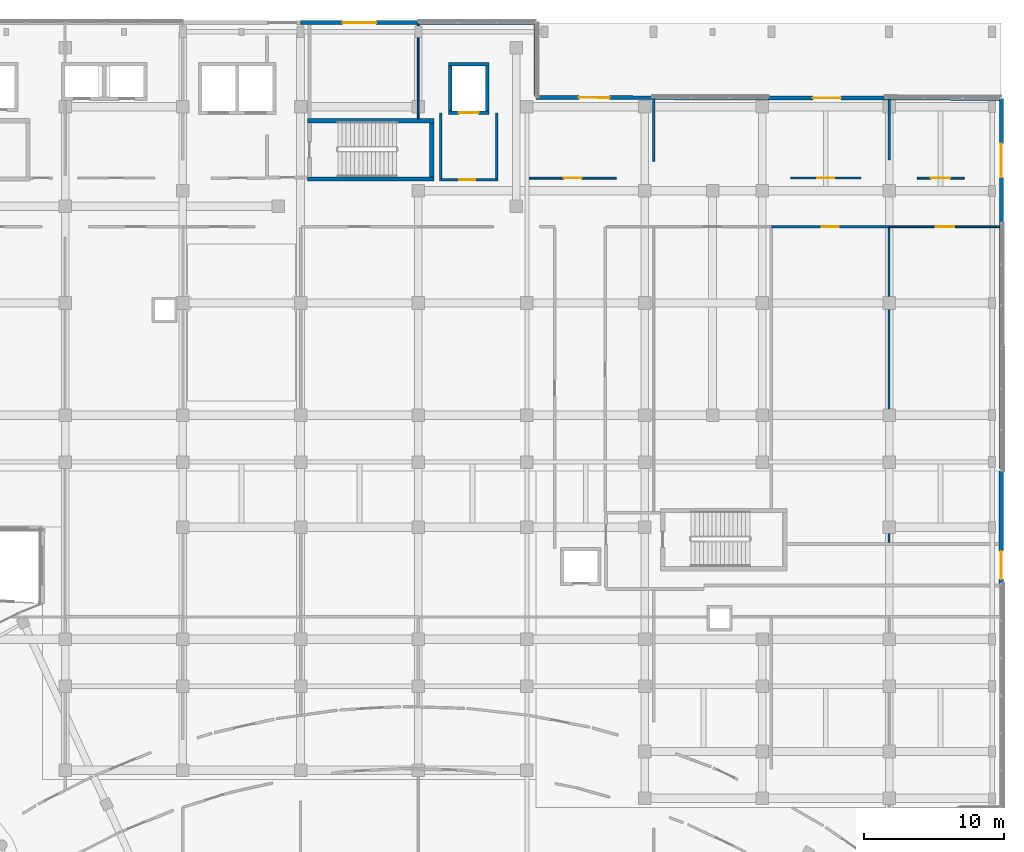
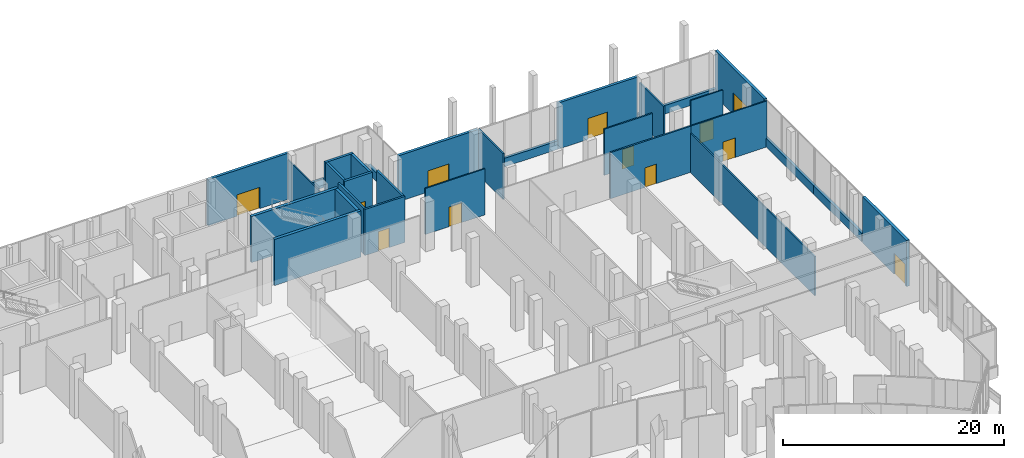
# One storey, part 145 of 158: 30 walls, 12 doors, 12 openings.
"""IFC4 building model written with IfcOpenShell, lengths in metres."""

from ifc_helpers import new_model, si_unit, direction, frame, frame_2d, origin, place, context, subcontext, project, spatial, rectangle, extrude, material, layer, layer_set, type_object, element, fill, save


model = new_model("IFC4")

# Units and contexts
model_context = context("Model", 3, precision=1e-05, world=origin(), true_north=direction((0.0, 1.0)))
body_context = subcontext(model_context, "Body", "Model", "MODEL_VIEW")
ifc_project = project(units=[si_unit("LENGTHUNIT", "METRE"), si_unit("AREAUNIT", "SQUARE_METRE"), si_unit("VOLUMEUNIT", "CUBIC_METRE"), si_unit("PLANEANGLEUNIT", "RADIAN"), si_unit("MASSUNIT", "GRAM", prefix="KILO")], contexts=[model_context])

# Site, building, storey
site_placement = place(None, origin())
site = spatial("IfcSite", under=ifc_project, at=site_placement, CompositionType="ELEMENT")
building_placement = place(site_placement, origin())
building = spatial("IfcBuilding", under=site, at=building_placement, Name="Selatvlak General Hospital", CompositionType="ELEMENT")
storey_placement = place(building_placement, origin())
storey = spatial("IfcBuildingStorey", under=building, at=storey_placement, Name="L00", CompositionType="ELEMENT", Elevation=0.0)

# Wall, opening, door
ifc_material_1 = material(Name="Precast concrete C40/50 - white fair-faced", Category="concrete")
ifc_layer_1 = layer(ifc_material_1, 0.300048828125, Name="Precast concrete C40/50 - white fair-faced", Category="concrete")
ifc_layer_set_1 = layer_set([ifc_layer_1], Name="Precast concrete C40/50 - white fair-faced")
wall_type_1 = type_object("IfcWallType", Name="WALL-EW-01", PredefinedType="SOLIDWALL", material=ifc_layer_set_1)
wall_1_placement = place(storey_placement, frame((182.0, 88.0009765625, 0.0), z_axis=(0.0, 0.0, 1.0), x_axis=(0.0, -1.0, 0.0)))
wall_1 = element("IfcWall", 1, at=wall_1_placement, inside=storey, type_object=wall_type_1, Name="L00 exterior wall 0173", PredefinedType="SOLIDWALL", context=body_context, shape_type="SweptSolid", body=[
    extrude(rectangle(XDim=8.0, YDim=0.300048828125, at=frame_2d((4.0, 0.0))), origin(), (0.0, 0.0, 1.0), 5.080078125),
])
opening_1_placement = place(wall_1_placement, frame((5.699951171875, 0.0, 0.0)))
opening_1 = element("IfcOpeningElement", 2, at=opening_1_placement, cuts=wall_1, Name="Opening DE-03", PredefinedType="OPENING", context=body_context, shape_type="SweptSolid", body=[
    extrude(rectangle(XDim=2.0, YDim=2.300048828125, at=frame_2d((1.0, 1.14990234375))), frame((0.0, 0.159912109375, 0.0), z_axis=(0.0, -1.0, 0.0), x_axis=(1.0, 0.0, 0.0)), (0.0, 0.0, 1.0), 0.320068359375),
])
ifc_material_2 = material(Name="Steel acoustic fire exit double door", Category="steel")
door_type_1 = type_object("IfcDoorType", Name="DOOR-DE-03", OperationType="DOUBLE_DOOR_SINGLE_SWING", PredefinedType="DOOR", material=ifc_material_2)
door_1_placement = place(opening_1_placement, origin())
door_1 = element("IfcDoor", 3, at=door_1_placement, inside=storey, type_object=door_type_1, Name="Stair ST-06 ground final exit double door", OperationType="DOUBLE_DOOR_SINGLE_SWING", OverallHeight=2.300048828125, OverallWidth=2.0, PredefinedType="DOOR", context=body_context, shape_type="SweptSolid", body=[
    extrude(rectangle(XDim=2.0, YDim=2.300048828125, at=frame_2d((1.0, 1.14990234375))), frame((0.0, 0.02490234375, 0.0), z_axis=(0.0, -1.0, 0.0), x_axis=(1.0, 0.0, 0.0)), (0.0, 0.0, 1.0), 0.050048828125),
])
fill(opening_1, door_1)

ifc_material_3 = material(Name="Precast concrete C40/50 - white Bauhaus spandrel", Category="concrete")
ifc_layer_2 = layer(ifc_material_3, 0.280029296875, Name="Precast concrete C40/50 - white Bauhaus spandrel", Category="concrete")
ifc_layer_set_2 = layer_set([ifc_layer_2], Name="Precast concrete C40/50 - white Bauhaus spandrel")
wall_type_2 = type_object("IfcWallType", Name="WALL-EW-02", PredefinedType="SOLIDWALL", material=ifc_layer_set_2)
wall_2_placement = place(storey_placement, frame((131.9990234375, 120.0, 0.0), z_axis=(0.0, 0.0, 1.0), x_axis=(1.0, 0.0, 0.0)))
wall_2 = element("IfcWall", 4, at=wall_2_placement, inside=storey, type_object=wall_type_2, Name="L00 exterior wall 0163", PredefinedType="SOLIDWALL", context=body_context, shape_type="SweptSolid", body=[
    extrude(rectangle(XDim=8.39990234375, YDim=0.280029296875, at=frame_2d((4.199951171875, 0.0))), origin(), (0.0, 0.0, 1.0), 5.080078125),
])
opening_2_placement = place(wall_2_placement, frame((3.0, 0.0, 0.0)))
opening_2 = element("IfcOpeningElement", 5, at=opening_2_placement, cuts=wall_2, Name="Opening DE-01", PredefinedType="OPENING", context=body_context, shape_type="SweptSolid", body=[
    extrude(rectangle(XDim=2.39990234375, YDim=2.35009765625, at=frame_2d((1.199951171875, 1.175048828125))), frame((0.0, 0.14990234375, 0.0), z_axis=(0.0, -1.0, 0.0), x_axis=(1.0, 0.0, 0.0)), (0.0, 0.0, 1.0), 0.300048828125),
])
ifc_material_4 = material(Name="Anodised aluminium glazed entrance door", Category="aluminium")
door_type_2 = type_object("IfcDoorType", Name="DOOR-DE-01", OperationType="DOUBLE_DOOR_SINGLE_SWING", PredefinedType="DOOR", material=ifc_material_4)
door_2_placement = place(opening_2_placement, origin())
door_2 = element("IfcDoor", 6, at=door_2_placement, inside=storey, type_object=door_type_2, Name="Ground pedestrian final exit double door 12", OperationType="DOUBLE_DOOR_SINGLE_SWING", OverallHeight=2.35009765625, OverallWidth=2.39990234375, PredefinedType="DOOR", context=body_context, shape_type="SweptSolid", body=[
    extrude(rectangle(XDim=2.39990234375, YDim=2.35009765625, at=frame_2d((1.199951171875, 1.175048828125))), frame((0.0, 0.02490234375, 0.0), z_axis=(0.0, -1.0, 0.0), x_axis=(1.0, 0.0, 0.0)), (0.0, 0.0, 1.0), 0.050048828125),
])
fill(opening_2, door_2)

# Walls
wall_3_placement = place(storey_placement, frame((140.40087890625, 120.0, 0.0), z_axis=(0.0, 0.0, 1.0), x_axis=(1.0, 0.0, 0.0)))
element("IfcWall", 7, at=wall_3_placement, inside=storey, type_object=wall_type_2, Name="L00 Bauhaus spandrel sill wall 0164", PredefinedType="SOLIDWALL", context=body_context, shape_type="SweptSolid", body=[
    extrude(rectangle(XDim=8.258056640625, YDim=0.280029296875, at=frame_2d((4.12890625, 0.0))), origin(), (0.0, 0.0, 1.0), 0.93994140625),
])
wall_4_placement = place(storey_placement, frame((148.799072265625, 119.860107421875, 0.0), z_axis=(0.0, 0.0, 1.0), x_axis=(0.000192994303, -0.999999981377, 0.0)))
element("IfcWall", 8, at=wall_4_placement, inside=storey, type_object=wall_type_2, Name="L00 Bauhaus spandrel sill wall 0165", PredefinedType="SOLIDWALL", context=body_context, shape_type="SweptSolid", body=[
    extrude(rectangle(XDim=5.06005859375, YDim=0.280029296875, at=frame_2d((2.530029296875, 0.0))), origin(), (0.0, 0.0, 1.0), 0.93994140625),
])

# Wall, opening, door
wall_5_placement = place(storey_placement, frame((148.800048828125, 114.659912109375, 0.0), z_axis=(0.0, 0.0, 1.0), x_axis=(0.999998390291, -0.001794273077, 0.0)))
wall_5 = element("IfcWall", 9, at=wall_5_placement, inside=storey, type_object=wall_type_2, Name="L00 exterior wall 0166", PredefinedType="SOLIDWALL", context=body_context, shape_type="SweptSolid", body=[
    extrude(rectangle(XDim=8.300048828125, YDim=0.280029296875, at=frame_2d((4.14990234375, 0.0))), origin(), (0.0, 0.0, 1.0), 5.080078125),
])
opening_3_placement = place(wall_5_placement, frame((3.050048828125, 0.0, 0.0)))
opening_3 = element("IfcOpeningElement", 10, at=opening_3_placement, cuts=wall_5, Name="Opening DE-02", PredefinedType="OPENING", context=body_context, shape_type="SweptSolid", body=[
    extrude(rectangle(XDim=2.199951171875, YDim=2.35009765625, at=frame_2d((1.10009765625, 1.175048828125))), frame((0.0, 0.14990234375, 0.0), z_axis=(0.0, -1.0, 0.0), x_axis=(1.0, 0.0, 0.0)), (0.0, 0.0, 1.0), 0.300048828125),
])
door_type_3 = type_object("IfcDoorType", Name="DOOR-DE-02", OperationType="DOUBLE_DOOR_SINGLE_SWING", PredefinedType="DOOR", material=ifc_material_4)
door_3_placement = place(opening_3_placement, origin())
door_3 = element("IfcDoor", 11, at=door_3_placement, inside=storey, type_object=door_type_3, Name="Ground pedestrian final exit double door 13", OperationType="DOUBLE_DOOR_SINGLE_SWING", OverallHeight=2.35009765625, OverallWidth=2.199951171875, PredefinedType="DOOR", context=body_context, shape_type="SweptSolid", body=[
    extrude(rectangle(XDim=2.199951171875, YDim=2.35009765625, at=frame_2d((1.10009765625, 1.175048828125))), frame((0.0, 0.02490234375, 0.0), z_axis=(0.0, -1.0, 0.0), x_axis=(1.0, 0.0, 0.0)), (0.0, 0.0, 1.0), 0.050048828125),
])
fill(opening_3, door_3)

# Wall
wall_6_placement = place(storey_placement, frame((157.10205078125, 114.64501953125, 0.0), z_axis=(0.0, 0.0, 1.0), x_axis=(0.999998335025, -0.00182481448, 0.0)))
element("IfcWall", 12, at=wall_6_placement, inside=storey, type_object=wall_type_2, Name="L00 Bauhaus spandrel sill wall 0167", PredefinedType="SOLIDWALL", context=body_context, shape_type="SweptSolid", body=[
    extrude(rectangle(XDim=8.294921875, YDim=0.280029296875, at=frame_2d((4.1474609375, 0.0))), origin(), (0.0, 0.0, 1.0), 0.93994140625),
])

# Wall, opening, door
wall_7_placement = place(storey_placement, frame((165.39892578125, 114.6298828125, 0.0), z_axis=(0.0, 0.0, 1.0), x_axis=(0.999998390291, -0.001794273077, 0.0)))
wall_7 = element("IfcWall", 13, at=wall_7_placement, inside=storey, type_object=wall_type_2, Name="L00 exterior wall 0168", PredefinedType="SOLIDWALL", context=body_context, shape_type="SweptSolid", body=[
    extrude(rectangle(XDim=8.300048828125, YDim=0.280029296875, at=frame_2d((4.14990234375, 0.0))), origin(), (0.0, 0.0, 1.0), 5.080078125),
])
opening_4_placement = place(wall_7_placement, frame((3.14990234375, 0.0, 0.0)))
opening_4 = element("IfcOpeningElement", 14, at=opening_4_placement, cuts=wall_7, Name="Opening DE-03", PredefinedType="OPENING", context=body_context, shape_type="SweptSolid", body=[
    extrude(rectangle(XDim=2.0, YDim=2.300048828125, at=frame_2d((1.0, 1.14990234375))), frame((0.0, 0.14990234375, 0.0), z_axis=(0.0, -1.0, 0.0), x_axis=(1.0, 0.0, 0.0)), (0.0, 0.0, 1.0), 0.300048828125),
])
door_4_placement = place(opening_4_placement, origin())
door_4 = element("IfcDoor", 15, at=door_4_placement, inside=storey, type_object=door_type_1, Name="Ground pedestrian final exit double door 14", OperationType="DOUBLE_DOOR_SINGLE_SWING", OverallHeight=2.300048828125, OverallWidth=2.0, PredefinedType="DOOR", context=body_context, shape_type="SweptSolid", body=[
    extrude(rectangle(XDim=2.0, YDim=2.300048828125, at=frame_2d((1.0, 1.14990234375))), frame((0.0, 0.02490234375, 0.0), z_axis=(0.0, -1.0, 0.0), x_axis=(1.0, 0.0, 0.0)), (0.0, 0.0, 1.0), 0.050048828125),
])
fill(opening_4, door_4)

# Wall
wall_8_placement = place(storey_placement, frame((173.700927734375, 114.614990234375, 0.0), z_axis=(0.0, 0.0, 1.0), x_axis=(0.999998333729, -0.001825524416, 0.0)))
element("IfcWall", 16, at=wall_8_placement, inside=storey, type_object=wall_type_2, Name="L00 Bauhaus spandrel sill wall 0169", PredefinedType="SOLIDWALL", context=body_context, shape_type="SweptSolid", body=[
    extrude(rectangle(XDim=8.157958984375, YDim=0.280029296875, at=frame_2d((4.0791015625, 0.0))), origin(), (0.0, 0.0, 1.0), 0.93994140625),
])

# Wall, opening, door
wall_9_placement = place(storey_placement, frame((181.9990234375, 114.60009765625, 0.0), z_axis=(0.0, 0.0, 1.0), x_axis=(0.0, -1.0, 0.0)))
wall_9 = element("IfcWall", 17, at=wall_9_placement, inside=storey, type_object=wall_type_2, Name="L00 exterior wall 0170", PredefinedType="SOLIDWALL", context=body_context, shape_type="SweptSolid", body=[
    extrude(rectangle(XDim=8.8662109375, YDim=0.280029296875, at=frame_2d((4.43310546875, 0.0))), origin(), (0.0, 0.0, 1.0), 5.080078125),
])
opening_5_placement = place(wall_9_placement, frame((3.23291015625, 0.0, 0.0)))
opening_5 = element("IfcOpeningElement", 18, at=opening_5_placement, cuts=wall_9, Name="Opening DE-01", PredefinedType="OPENING", context=body_context, shape_type="SweptSolid", body=[
    extrude(rectangle(XDim=2.39990234375, YDim=2.35009765625, at=frame_2d((1.199951171875, 1.175048828125))), frame((0.0, 0.14990234375, 0.0), z_axis=(0.0, -1.0, 0.0), x_axis=(1.0, 0.0, 0.0)), (0.0, 0.0, 1.0), 0.300048828125),
])
door_5_placement = place(opening_5_placement, origin())
door_5 = element("IfcDoor", 19, at=door_5_placement, inside=storey, type_object=door_type_2, Name="Ground pedestrian final exit double door 15", OperationType="DOUBLE_DOOR_SINGLE_SWING", OverallHeight=2.35009765625, OverallWidth=2.39990234375, PredefinedType="DOOR", context=body_context, shape_type="SweptSolid", body=[
    extrude(rectangle(XDim=2.39990234375, YDim=2.35009765625, at=frame_2d((1.199951171875, 1.175048828125))), frame((0.0, 0.02490234375, 0.0), z_axis=(0.0, -1.0, 0.0), x_axis=(1.0, 0.0, 0.0)), (0.0, 0.0, 1.0), 0.050048828125),
])
fill(opening_5, door_5)

# Walls
wall_10_placement = place(storey_placement, frame((181.9990234375, 105.73193359375, 0.0), z_axis=(0.0, 0.0, 1.0), x_axis=(0.000110183731, -0.99999999393, 0.0)))
element("IfcWall", 20, at=wall_10_placement, inside=storey, type_object=wall_type_2, Name="L00 Bauhaus spandrel sill wall 0171", PredefinedType="SOLIDWALL", context=body_context, shape_type="SweptSolid", body=[
    extrude(rectangle(XDim=8.863037109375, YDim=0.280029296875, at=frame_2d((4.431640625, 0.0))), origin(), (0.0, 0.0, 1.0), 0.93994140625),
])
wall_11_placement = place(storey_placement, frame((182.0, 96.864990234375, 0.0), z_axis=(0.0, 0.0, 1.0), x_axis=(0.0, -1.0, 0.0)))
element("IfcWall", 21, at=wall_11_placement, inside=storey, type_object=wall_type_2, Name="L00 Bauhaus spandrel sill wall 0172", PredefinedType="SOLIDWALL", context=body_context, shape_type="SweptSolid", body=[
    extrude(rectangle(XDim=8.723876953125, YDim=0.280029296875, at=frame_2d((4.36181640625, 0.0))), origin(), (0.0, 0.0, 1.0), 0.93994140625),
])

# Wall, opening, door
ifc_material_5 = material(Name="Concrete C40/50", Category="concrete")
ifc_layer_3 = layer(ifc_material_5, 0.199951171875, Name="Concrete C40/50", Category="concrete")
ifc_layer_set_3 = layer_set([ifc_layer_3], Name="Concrete C40/50")
wall_type_3 = type_object("IfcWallType", Name="WALL-IW-02", PredefinedType="SOLIDWALL", material=ifc_layer_set_3)
wall_12_placement = place(storey_placement, frame((141.89990234375, 108.800048828125, 0.0), z_axis=(0.0, 0.0, 1.0), x_axis=(1.0, 0.0, 0.0)))
wall_12 = element("IfcWall", 22, at=wall_12_placement, inside=storey, type_object=wall_type_3, Name="Firefighting lobby C4 wall L00 S", PredefinedType="SOLIDWALL", context=body_context, shape_type="SweptSolid", body=[
    extrude(rectangle(XDim=4.2001953125, YDim=0.199951171875, at=frame_2d((2.10009765625, 0.0))), origin(), (0.0, 0.0, 1.0), 5.080078125),
])
opening_6_placement = place(wall_12_placement, frame((1.425048828125, 0.0, 0.0)))
opening_6 = element("IfcOpeningElement", 23, at=opening_6_placement, cuts=wall_12, Name="Opening D-06", PredefinedType="OPENING", context=body_context, shape_type="SweptSolid", body=[
    extrude(rectangle(XDim=1.14990234375, YDim=2.14990234375, at=frame_2d((0.574951171875, 1.074951171875))), frame((0.0, 0.10986328125, 0.0), z_axis=(0.0, -1.0, 0.0), x_axis=(1.0, 0.0, 0.0)), (0.0, 0.0, 1.0), 0.219970703125),
])
ifc_material_6 = material(Name="Firefighting lobby fire door")
door_type_4 = type_object("IfcDoorType", Name="DOOR-D-06", OperationType="NOTDEFINED", PredefinedType="DOOR", material=ifc_material_6)
door_6_placement = place(opening_6_placement, origin())
door_6 = element("IfcDoor", 24, at=door_6_placement, inside=storey, type_object=door_type_4, Name="Firefighting lobby C4 door on L00", OperationType="SINGLE_SWING_RIGHT", OverallHeight=2.14990234375, OverallWidth=1.14990234375, PredefinedType="DOOR", context=body_context, shape_type="SweptSolid", body=[
    extrude(rectangle(XDim=1.14990234375, YDim=2.14990234375, at=frame_2d((0.574951171875, 1.074951171875))), frame((0.0, 0.02490234375, 0.0), z_axis=(0.0, -1.0, 0.0), x_axis=(1.0, 0.0, 0.0)), (0.0, 0.0, 1.0), 0.050048828125),
])
fill(opening_6, door_6)

# Walls
for number, where, z_axis, x_axis, name in (
    (25, (146.0, 108.89990234375, 0.0), (0.0, 0.0, 1.0), (0.0, 1.0, 0.0), "Firefighting lobby C4 wall L00 E"),
    (26, (142.0, 113.550048828125, 0.0), (0.0, 0.0, 1.0), (0.0, -1.0, 0.0), "Firefighting lobby C4 wall L00 W"),
):
    element("IfcWall", number, at=place(storey_placement, frame(where, z_axis=z_axis, x_axis=x_axis)), inside=storey, type_object=wall_type_3, Name=name, PredefinedType="SOLIDWALL", context=body_context, shape_type="SweptSolid", body=[
        extrude(rectangle(XDim=4.650146484375, YDim=0.199951171875, at=frame_2d((2.3251953125, 0.0))), origin(), (0.0, 0.0, 1.0), 5.080078125),
    ])

# Wall, opening, door
ifc_material_7 = material(Name="Acoustic gypsum stud partition")
ifc_layer_4 = layer(ifc_material_7, 0.1650390625, Name="Acoustic gypsum stud partition")
ifc_layer_set_4 = layer_set([ifc_layer_4], Name="Acoustic gypsum stud partition")
wall_type_4 = type_object("IfcWallType", Name="WALL-PT-02", PredefinedType="PARTITIONING", material=ifc_layer_set_4)
wall_13_placement = place(storey_placement, frame((165.60009765625, 105.43994140625, 0.0), z_axis=(0.0, 0.0, 1.0), x_axis=(1.0, 0.0, 0.0)))
wall_13 = element("IfcWall", 27, at=wall_13_placement, inside=storey, type_object=wall_type_4, Name="L00 clinical partition PT-L00-0666", PredefinedType="PARTITIONING", context=body_context, shape_type="SweptSolid", body=[
    extrude(rectangle(XDim=8.39990234375, YDim=0.1650390625, at=frame_2d((4.199951171875, 0.0))), origin(), (0.0, 0.0, 1.0), 5.080078125),
])
opening_7_placement = place(wall_13_placement, frame((3.60009765625, 0.0, 0.0)))
opening_7 = element("IfcOpeningElement", 28, at=opening_7_placement, cuts=wall_13, Name="Opening D-07", PredefinedType="OPENING", context=body_context, shape_type="SweptSolid", body=[
    extrude(rectangle(XDim=1.199951171875, YDim=2.14990234375, at=frame_2d((0.60009765625, 1.074951171875))), frame((0.0, 0.092529296875, 0.0), z_axis=(0.0, -1.0, 0.0), x_axis=(1.0, 0.0, 0.0)), (0.0, 0.0, 1.0), 0.18505859375),
])
ifc_material_8 = material(Name="Plant and store fire door")
door_type_5 = type_object("IfcDoorType", Name="DOOR-D-07", OperationType="NOTDEFINED", PredefinedType="DOOR", material=ifc_material_8)
door_7_placement = place(opening_7_placement, origin())
door_7 = element("IfcDoor", 29, at=door_7_placement, inside=storey, type_object=door_type_5, Name="L00 Community Health Education Room 60 door", OperationType="SINGLE_SWING_LEFT", OverallHeight=2.14990234375, OverallWidth=1.199951171875, PredefinedType="DOOR", context=body_context, shape_type="SweptSolid", body=[
    extrude(rectangle(XDim=1.199951171875, YDim=2.14990234375, at=frame_2d((0.60009765625, 1.074951171875))), frame((0.0, 0.02490234375, 0.0), z_axis=(0.0, -1.0, 0.0), x_axis=(1.0, 0.0, 0.0)), (0.0, 0.0, 1.0), 0.050048828125),
])
fill(opening_7, door_7)

# Walls
wall_14_placement = place(storey_placement, frame((174.0, 114.572021484375, 0.0), z_axis=(0.0, 0.0, 1.0), x_axis=(0.0, -1.0, 0.0)))
element("IfcWall", 30, at=wall_14_placement, inside=storey, type_object=wall_type_4, Name="L00 clinical partition PT-L00-0691", PredefinedType="PARTITIONING", context=body_context, shape_type="SweptSolid", body=[
    extrude(rectangle(XDim=4.362060546875, YDim=0.1650390625, at=frame_2d((2.18115234375, 0.0))), origin(), (0.0, 0.0, 1.0), 4.330078125),
])
ifc_layer_5 = layer(ifc_material_7, 0.14990234375, Name="Acoustic gypsum stud partition")
ifc_layer_set_5 = layer_set([ifc_layer_5], Name="Acoustic gypsum stud partition")
wall_type_5 = type_object("IfcWallType", Name="WALL-PT-03", PredefinedType="PARTITIONING", material=ifc_layer_set_5)
wall_15_placement = place(storey_placement, frame((174.0, 105.361083984375, 0.0), z_axis=(0.0, 0.0, 1.0), x_axis=(0.0, -1.0, 0.0)))
element("IfcWall", 31, at=wall_15_placement, inside=storey, type_object=wall_type_5, Name="L00 clinical partition PT-L00-0667", PredefinedType="PARTITIONING", context=body_context, shape_type="SweptSolid", body=[
    extrude(rectangle(XDim=22.465087890625, YDim=0.14990234375, at=frame_2d((11.232421875, 0.0))), origin(), (0.0, 0.0, 1.0), 4.330078125),
])
wall_16_placement = place(storey_placement, frame((157.199951171875, 114.590087890625, 0.0), z_axis=(0.0, 0.0, 1.0), x_axis=(0.0, -1.0, 0.0)))
element("IfcWall", 32, at=wall_16_placement, inside=storey, type_object=wall_type_5, Name="L00 clinical partition PT-L00-0687", PredefinedType="PARTITIONING", context=body_context, shape_type="SweptSolid", body=[
    extrude(rectangle(XDim=4.47802734375, YDim=0.14990234375, at=frame_2d((2.239013671875, 0.0))), origin(), (0.0, 0.0, 1.0), 5.080078125),
])

# Wall, opening, door
wall_17_placement = place(storey_placement, frame((171.989013671875, 108.909912109375, 0.0), z_axis=(0.0, 0.0, 1.0), x_axis=(-1.0, 0.0, 0.0)))
wall_17 = element("IfcWall", 33, at=wall_17_placement, inside=storey, type_object=wall_type_5, Name="L00 clinical partition PT-L00-0692", PredefinedType="PARTITIONING", context=body_context, shape_type="SweptSolid", body=[
    extrude(rectangle(XDim=5.028076171875, YDim=0.14990234375, at=frame_2d((2.51416015625, 0.0))), origin(), (0.0, 0.0, 1.0), 5.080078125),
])
opening_8_placement = place(wall_17_placement, frame((1.9140625, 0.0, 0.0)))
opening_8 = element("IfcOpeningElement", 34, at=opening_8_placement, cuts=wall_17, Name="Opening D-23", PredefinedType="OPENING", context=body_context, shape_type="SweptSolid", body=[
    extrude(rectangle(XDim=1.199951171875, YDim=2.14990234375, at=frame_2d((0.60009765625, 1.074951171875))), frame((0.0, 0.0849609375, 0.0), z_axis=(0.0, -1.0, 0.0), x_axis=(1.0, 0.0, 0.0)), (0.0, 0.0, 1.0), 0.169921875),
])
ifc_material_9 = material(Name="Endoscopy clinical door")
door_type_6 = type_object("IfcDoorType", Name="DOOR-D-23", OperationType="NOTDEFINED", PredefinedType="DOOR", material=ifc_material_9)
door_8_placement = place(opening_8_placement, origin())
door_8 = element("IfcDoor", 35, at=door_8_placement, inside=storey, type_object=door_type_6, Name="L00 Public Dining Cafeteria 74 door", OperationType="SINGLE_SWING_LEFT", OverallHeight=2.14990234375, OverallWidth=1.199951171875, PredefinedType="DOOR", context=body_context, shape_type="SweptSolid", body=[
    extrude(rectangle(XDim=1.199951171875, YDim=2.14990234375, at=frame_2d((0.60009765625, 1.074951171875))), frame((0.0, 0.02490234375, 0.0), z_axis=(0.0, -1.0, 0.0), x_axis=(1.0, 0.0, 0.0)), (0.0, 0.0, 1.0), 0.050048828125),
])
fill(opening_8, door_8)

ifc_material_10 = material(Name="Moisture-resistant clinical partition")
ifc_layer_6 = layer(ifc_material_10, 0.135009765625, Name="Moisture-resistant clinical partition")
ifc_layer_set_6 = layer_set([ifc_layer_6], Name="Moisture-resistant clinical partition")
wall_type_6 = type_object("IfcWallType", Name="WALL-PT-04", PredefinedType="PARTITIONING", material=ifc_layer_set_6)
wall_18_placement = place(storey_placement, frame((174.0, 105.43994140625, 0.0), z_axis=(0.0, 0.0, 1.0), x_axis=(1.0, 0.0, 0.0)))
wall_18 = element("IfcWall", 36, at=wall_18_placement, inside=storey, type_object=wall_type_6, Name="L00 clinical partition PT-L00-0668", PredefinedType="PARTITIONING", context=body_context, shape_type="SweptSolid", body=[
    extrude(rectangle(XDim=7.95703125, YDim=0.135009765625, at=frame_2d((3.978515625, 0.0))), origin(), (0.0, 0.0, 1.0), 5.080078125),
])
opening_9_placement = place(wall_18_placement, frame((3.327880859375, 0.0, 0.0)))
opening_9 = element("IfcOpeningElement", 37, at=opening_9_placement, cuts=wall_18, Name="Opening D-09", PredefinedType="OPENING", context=body_context, shape_type="SweptSolid", body=[
    extrude(rectangle(XDim=1.300048828125, YDim=2.14990234375, at=frame_2d((0.64990234375, 1.074951171875))), frame((0.0, 0.077392578125, 0.0), z_axis=(0.0, -1.0, 0.0), x_axis=(1.0, 0.0, 0.0)), (0.0, 0.0, 1.0), 0.155029296875),
])
ifc_material_11 = material(Name="Outpatient procedure door")
door_type_7 = type_object("IfcDoorType", Name="DOOR-D-09", OperationType="NOTDEFINED", PredefinedType="DOOR", material=ifc_material_11)
door_9_placement = place(opening_9_placement, origin())
door_9 = element("IfcDoor", 38, at=door_9_placement, inside=storey, type_object=door_type_7, Name="L00 Diagnostic Ultrasound Room 61 door", OperationType="SINGLE_SWING_RIGHT", OverallHeight=2.14990234375, OverallWidth=1.300048828125, PredefinedType="DOOR", context=body_context, shape_type="SweptSolid", body=[
    extrude(rectangle(XDim=1.300048828125, YDim=2.14990234375, at=frame_2d((0.64990234375, 1.074951171875))), frame((0.0, 0.02490234375, 0.0), z_axis=(0.0, -1.0, 0.0), x_axis=(1.0, 0.0, 0.0)), (0.0, 0.0, 1.0), 0.050048828125),
])
fill(opening_9, door_9)

wall_19_placement = place(storey_placement, frame((154.5390625, 108.909912109375, 0.0), z_axis=(0.0, 0.0, 1.0), x_axis=(-1.0, 0.0, 0.0)))
wall_19 = element("IfcWall", 39, at=wall_19_placement, inside=storey, type_object=wall_type_6, Name="L00 clinical partition PT-L00-0688", PredefinedType="PARTITIONING", context=body_context, shape_type="SweptSolid", body=[
    extrude(rectangle(XDim=6.22607421875, YDim=0.135009765625, at=frame_2d((3.113037109375, 0.0))), origin(), (0.0, 0.0, 1.0), 5.080078125),
])
opening_10_placement = place(wall_19_placement, frame((2.462890625, 0.0, 0.0)))
opening_10 = element("IfcOpeningElement", 40, at=opening_10_placement, cuts=wall_19, Name="Opening D-09", PredefinedType="OPENING", context=body_context, shape_type="SweptSolid", body=[
    extrude(rectangle(XDim=1.300048828125, YDim=2.14990234375, at=frame_2d((0.64990234375, 1.074951171875))), frame((0.0, 0.077392578125, 0.0), z_axis=(0.0, -1.0, 0.0), x_axis=(1.0, 0.0, 0.0)), (0.0, 0.0, 1.0), 0.155029296875),
])
door_10_placement = place(opening_10_placement, origin())
door_10 = element("IfcDoor", 41, at=door_10_placement, inside=storey, type_object=door_type_7, Name="L00 Patient Welfare Office 72 door", OperationType="SINGLE_SWING_RIGHT", OverallHeight=2.14990234375, OverallWidth=1.300048828125, PredefinedType="DOOR", context=body_context, shape_type="SweptSolid", body=[
    extrude(rectangle(XDim=1.300048828125, YDim=2.14990234375, at=frame_2d((0.64990234375, 1.074951171875))), frame((0.0, 0.02490234375, 0.0), z_axis=(0.0, -1.0, 0.0), x_axis=(1.0, 0.0, 0.0)), (0.0, 0.0, 1.0), 0.050048828125),
])
fill(opening_10, door_10)

wall_20_placement = place(storey_placement, frame((179.339111328125, 108.909912109375, 0.0), z_axis=(0.0, 0.0, 1.0), x_axis=(-1.0, 0.0, 0.0)))
wall_20 = element("IfcWall", 42, at=wall_20_placement, inside=storey, type_object=wall_type_6, Name="L00 clinical partition PT-L00-0693", PredefinedType="PARTITIONING", context=body_context, shape_type="SweptSolid", body=[
    extrude(rectangle(XDim=3.328125, YDim=0.135009765625, at=frame_2d((1.6640625, 0.0))), origin(), (0.0, 0.0, 1.0), 5.080078125),
])
opening_11_placement = place(wall_20_placement, frame((0.964111328125, 0.0, 0.0)))
opening_11 = element("IfcOpeningElement", 43, at=opening_11_placement, cuts=wall_20, Name="Opening D-11", PredefinedType="OPENING", context=body_context, shape_type="SweptSolid", body=[
    extrude(rectangle(XDim=1.39990234375, YDim=2.14990234375, at=frame_2d((0.699951171875, 1.074951171875))), frame((0.0, 0.077392578125, 0.0), z_axis=(0.0, -1.0, 0.0), x_axis=(1.0, 0.0, 0.0)), (0.0, 0.0, 1.0), 0.155029296875),
])
ifc_material_12 = material(Name="Inpatient suite bed door")
door_type_8 = type_object("IfcDoorType", Name="DOOR-D-11", OperationType="NOTDEFINED", PredefinedType="DOOR", material=ifc_material_12)
door_11_placement = place(opening_11_placement, origin())
door_11 = element("IfcDoor", 44, at=door_11_placement, inside=storey, type_object=door_type_8, Name="L00 Admissions Registration Suite 75 door", OperationType="SINGLE_SWING_RIGHT", OverallHeight=2.14990234375, OverallWidth=1.39990234375, PredefinedType="DOOR", context=body_context, shape_type="SweptSolid", body=[
    extrude(rectangle(XDim=1.39990234375, YDim=2.14990234375, at=frame_2d((0.699951171875, 1.074951171875))), frame((0.0, 0.02490234375, 0.0), z_axis=(0.0, -1.0, 0.0), x_axis=(1.0, 0.0, 0.0)), (0.0, 0.0, 1.0), 0.050048828125),
])
fill(opening_11, door_11)

# Walls
ifc_layer_7 = layer(ifc_material_10, 0.1201171875, Name="Moisture-resistant clinical partition")
ifc_layer_set_7 = layer_set([ifc_layer_7], Name="Moisture-resistant clinical partition")
wall_type_7 = type_object("IfcWallType", Name="WALL-PT-05", PredefinedType="PARTITIONING", material=ifc_layer_set_7)
wall_21_placement = place(storey_placement, frame((140.39990234375, 113.14697265625, 0.0), z_axis=(0.0, 0.0, 1.0), x_axis=(0.0, 1.0, 0.0)))
element("IfcWall", 45, at=wall_21_placement, inside=storey, type_object=wall_type_7, Name="L00 clinical partition PT-L00-0689", PredefinedType="PARTITIONING", context=body_context, shape_type="SweptSolid", body=[
    extrude(rectangle(XDim=6.843017578125, YDim=0.1201171875, at=frame_2d((3.42138671875, 0.0))), origin(), (0.0, 0.0, 1.0), 4.330078125),
])
ifc_material_13 = material(Name="Concrete C45/55", Category="concrete")
ifc_layer_8 = layer(ifc_material_13, 0.300048828125, Name="Concrete C45/55", Category="concrete")
ifc_layer_set_8 = layer_set([ifc_layer_8], Name="Concrete C45/55")
wall_type_8 = type_object("IfcWallType", Name="WALL-SW-02", PredefinedType="SHEAR", material=ifc_layer_set_8)
wall_22_placement = place(storey_placement, frame((132.489990234375, 108.840087890625, 0.0), z_axis=(0.0, 0.0, 1.0), x_axis=(1.0, 0.0, 0.0)))
element("IfcWall", 46, at=wall_22_placement, inside=storey, type_object=wall_type_8, Name="ST-04 core shear wall L00 S", PredefinedType="SHEAR", context=body_context, shape_type="SweptSolid", body=[
    extrude(rectangle(XDim=9.02001953125, YDim=0.300048828125, at=frame_2d((4.510009765625, 0.0))), origin(), (0.0, 0.0, 1.0), 5.080078125),
])
wall_23_placement = place(storey_placement, frame((141.360107421875, 108.989990234375, 0.0), z_axis=(0.0, 0.0, 1.0), x_axis=(0.0, 1.0, 0.0)))
element("IfcWall", 47, at=wall_23_placement, inside=storey, type_object=wall_type_8, Name="ST-04 core shear wall L00 E", PredefinedType="SHEAR", context=body_context, shape_type="SweptSolid", body=[
    extrude(rectangle(XDim=3.860107421875, YDim=0.300048828125, at=frame_2d((1.93017578125, 0.0))), origin(), (0.0, 0.0, 1.0), 5.080078125),
])
wall_24_placement = place(storey_placement, frame((141.510009765625, 113.0, 0.0), z_axis=(0.0, 0.0, 1.0), x_axis=(-1.0, 0.0, 0.0)))
element("IfcWall", 48, at=wall_24_placement, inside=storey, type_object=wall_type_8, Name="ST-04 core shear wall L00 N", PredefinedType="SHEAR", context=body_context, shape_type="SweptSolid", body=[
    extrude(rectangle(XDim=9.02001953125, YDim=0.300048828125, at=frame_2d((4.510009765625, 0.0))), origin(), (0.0, 0.0, 1.0), 5.080078125),
])

# Wall, opening, door
ifc_layer_9 = layer(ifc_material_5, 0.25, Name="Concrete C40/50", Category="concrete")
ifc_layer_set_9 = layer_set([ifc_layer_9], Name="Concrete C40/50")
wall_type_9 = type_object("IfcWallType", Name="WALL-SW-03", PredefinedType="SHEAR", material=ifc_layer_set_9)
wall_25_placement = place(storey_placement, frame((142.550048828125, 113.574951171875, 0.0), z_axis=(0.0, 0.0, 1.0), x_axis=(1.0, 0.0, 0.0)))
wall_25 = element("IfcWall", 49, at=wall_25_placement, inside=storey, type_object=wall_type_9, Name="Lift LF-03 shaft wall L00 S", PredefinedType="SHEAR", context=body_context, shape_type="SweptSolid", body=[
    extrude(rectangle(XDim=2.89990234375, YDim=0.25, at=frame_2d((1.449951171875, 0.0))), origin(), (0.0, 0.0, 1.0), 5.080078125),
])
opening_12_placement = place(wall_25_placement, frame((0.75, 0.0, 0.0)))
opening_12 = element("IfcOpeningElement", 50, at=opening_12_placement, cuts=wall_25, Name="Opening LD-F1", PredefinedType="OPENING", context=body_context, shape_type="SweptSolid", body=[
    extrude(rectangle(XDim=1.39990234375, YDim=2.14990234375, at=frame_2d((0.699951171875, 1.074951171875))), frame((0.0, 0.135009765625, 0.0), z_axis=(0.0, -1.0, 0.0), x_axis=(1.0, 0.0, 0.0)), (0.0, 0.0, 1.0), 0.27001953125),
])
ifc_material_14 = material(Name="Stainless steel fire lift landing door", Category="steel")
door_type_9 = type_object("IfcDoorType", Name="DOOR-LD-F1", OperationType="DOUBLE_DOOR_SLIDING", PredefinedType="DOOR", material=ifc_material_14)
door_12_placement = place(opening_12_placement, origin())
door_12 = element("IfcDoor", 51, at=door_12_placement, inside=storey, type_object=door_type_9, Name="Lift LF-03 sliding landing door on L00", OperationType="DOUBLE_DOOR_SLIDING", OverallHeight=2.14990234375, OverallWidth=1.39990234375, PredefinedType="DOOR", context=body_context, shape_type="SweptSolid", body=[
    extrude(rectangle(XDim=1.39990234375, YDim=2.14990234375, at=frame_2d((0.699951171875, 1.074951171875))), frame((0.0, 0.02490234375, 0.0), z_axis=(0.0, -1.0, 0.0), x_axis=(1.0, 0.0, 0.0)), (0.0, 0.0, 1.0), 0.050048828125),
])
fill(opening_12, door_12)

# Walls
wall_26_placement = place(storey_placement, frame((145.324951171875, 113.699951171875, 0.0), z_axis=(0.0, 0.0, 1.0), x_axis=(0.0, 1.0, 0.0)))
element("IfcWall", 52, at=wall_26_placement, inside=storey, type_object=wall_type_9, Name="Lift LF-03 shaft wall L00 E", PredefinedType="SHEAR", context=body_context, shape_type="SweptSolid", body=[
    extrude(rectangle(XDim=3.199951171875, YDim=0.25, at=frame_2d((1.60009765625, 0.0))), origin(), (0.0, 0.0, 1.0), 5.080078125),
])
wall_27_placement = place(storey_placement, frame((145.449951171875, 117.02490234375, 0.0), z_axis=(0.0, 0.0, 1.0), x_axis=(-1.0, 0.0, 0.0)))
element("IfcWall", 53, at=wall_27_placement, inside=storey, type_object=wall_type_9, Name="Lift LF-03 shaft wall L00 N", PredefinedType="SHEAR", context=body_context, shape_type="SweptSolid", body=[
    extrude(rectangle(XDim=2.89990234375, YDim=0.25, at=frame_2d((1.449951171875, 0.0))), origin(), (0.0, 0.0, 1.0), 5.080078125),
])
wall_28_placement = place(storey_placement, frame((142.675048828125, 116.89990234375, 0.0), z_axis=(0.0, 0.0, 1.0), x_axis=(0.0, -1.0, 0.0)))
element("IfcWall", 54, at=wall_28_placement, inside=storey, type_object=wall_type_9, Name="Lift LF-03 shaft wall L00 W", PredefinedType="SHEAR", context=body_context, shape_type="SweptSolid", body=[
    extrude(rectangle(XDim=3.199951171875, YDim=0.25, at=frame_2d((1.60009765625, 0.0))), origin(), (0.0, 0.0, 1.0), 5.080078125),
])

save(model, "model.ifc")
